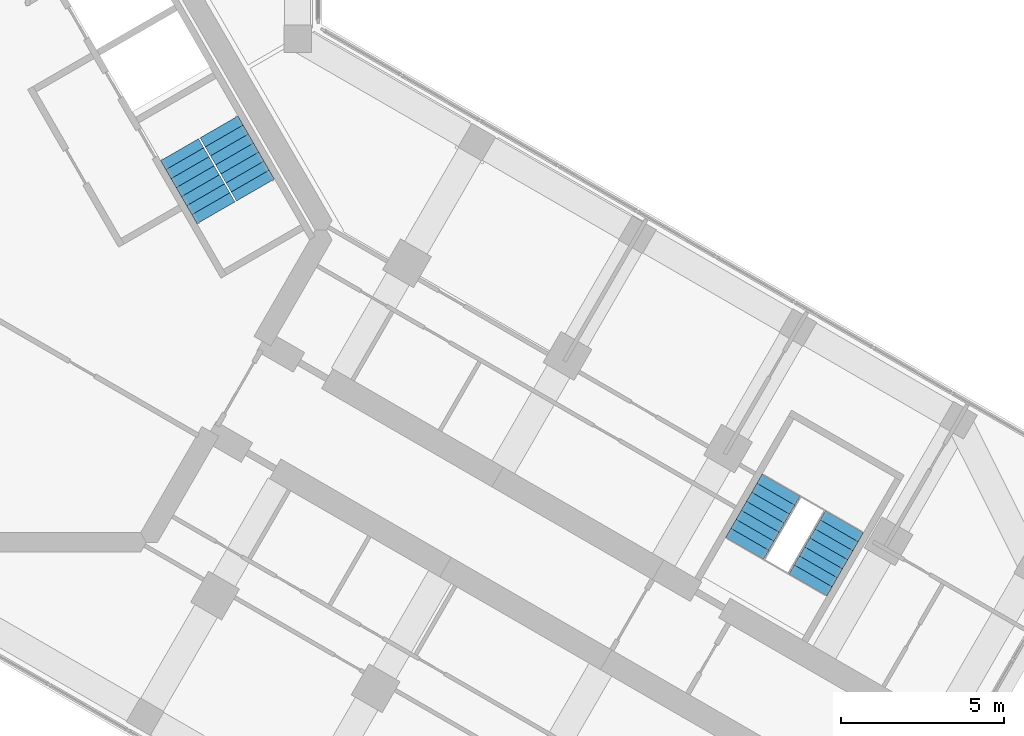
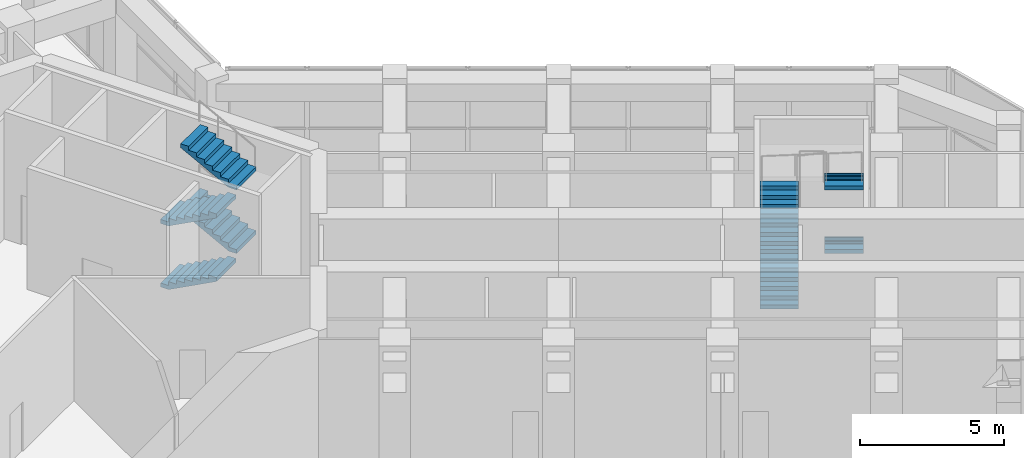
# One storey, part 15 of 16: 8 stair flights, 2 elements without a shape of their own.
"""IFC4 building model written with IfcOpenShell, lengths in metres."""

from ifc_helpers import new_model, si_unit, direction, frame, origin, place, context, subcontext, project, spatial, polyline, outline, extrude, material, type_object, element, aggregate, save


model = new_model("IFC4")

# Units and contexts
model_context = context("Model", 3, precision=1e-05, world=origin(), true_north=direction((0.0, 1.0)))
body_context = subcontext(model_context, "Body", "Model", "MODEL_VIEW")
ifc_project = project(units=[si_unit("LENGTHUNIT", "METRE"), si_unit("AREAUNIT", "SQUARE_METRE"), si_unit("VOLUMEUNIT", "CUBIC_METRE"), si_unit("PLANEANGLEUNIT", "RADIAN"), si_unit("MASSUNIT", "GRAM", prefix="KILO")], contexts=[model_context])

# Site, building, storey
site_placement = place(None, origin())
site = spatial("IfcSite", under=ifc_project, at=site_placement, CompositionType="ELEMENT")
building_placement = place(site_placement, origin())
building = spatial("IfcBuilding", under=site, at=building_placement, Name="Kosmar Iwan School Tower", CompositionType="ELEMENT")
storey_placement = place(building_placement, frame((0.0, 0.0, 226.199951171875)))
storey = spatial("IfcBuildingStorey", under=building, at=storey_placement, Name="L57", CompositionType="ELEMENT", Elevation=226.199951171875)

# Stair, stair flights
ifc_material_1 = material(Name="Concrete C35/45", Category="concrete")
stair_type_1 = type_object("IfcStairType", Name="Escape stair 3600", PredefinedType="HALF_TURN_STAIR", material=ifc_material_1)
stair_1_placement = place(storey_placement, origin())
stair_1 = element("IfcStair", 1, at=stair_1_placement, inside=storey, type_object=stair_type_1, Name="Stair WS3 L57", PredefinedType="HALF_TURN_STAIR")
ifc_material_2 = material(Name="Concrete C35/45", Category="concrete")
stair_flight_type_1 = type_object("IfcStairFlightType", Name="Escape stair flight 1350", PredefinedType="STRAIGHT", material=ifc_material_2)
stair_flight_1_placement = place(storey_placement, frame((23.94189453125, -9.781494140625, 0.0), z_axis=(0.0, 0.0, 1.0), x_axis=(0.5, 0.866025403784, 0.0)))
stair_flight_1 = element("IfcStairFlight", 2, at=stair_flight_1_placement, type_object=stair_flight_type_1, Name="WS3 flight 1", NumberOfRisers=8, NumberOfTreads=7, PredefinedType="STRAIGHT", RiserHeight=0.16875, TreadLength=0.32, context=body_context, shape_type="SweptSolid", body=[
    extrude(outline(polyline([(0.0, 0.0), (0.0, 0.168701171875), (0.320068359375, 0.168701171875), (0.320068359375, 0.33740234375), (0.639892578125, 0.33740234375), (0.639892578125, 0.50634765625), (0.9599609375, 0.50634765625), (0.9599609375, 0.675048828125), (1.280029296875, 0.675048828125), (1.280029296875, 0.84375), (1.60009765625, 0.84375), (1.60009765625, 1.012451171875), (1.919921875, 1.012451171875), (1.919921875, 1.18115234375), (2.239990234375, 1.18115234375), (2.239990234375, 1.35009765625), (2.239990234375, 1.01171875), (0.3212890625, 0.0), (0.0, 0.0)])), frame((0.0, 0.675048828125, 0.0), z_axis=(0.0, -1.0, 0.0), x_axis=(1.0, 0.0, 0.0)), (0.0, 0.0, 1.0), 1.35009765625),
])
stair_flight_2_placement = place(storey_placement, frame((27.010498046875, -8.966552734375, 1.35009765625), z_axis=(0.0, 0.0, 1.0), x_axis=(-0.5, -0.866025403784, 0.0)))
stair_flight_2 = element("IfcStairFlight", 3, at=stair_flight_2_placement, type_object=stair_flight_type_1, Name="WS3 flight 2", NumberOfRisers=8, NumberOfTreads=7, PredefinedType="STRAIGHT", RiserHeight=0.16875, TreadLength=0.32, context=body_context, shape_type="SweptSolid", body=[
    extrude(outline(polyline([(0.0, 0.0), (0.0, 0.168701171875), (0.320068359375, 0.168701171875), (0.320068359375, 0.33740234375), (0.639892578125, 0.33740234375), (0.639892578125, 0.50634765625), (0.9599609375, 0.50634765625), (0.9599609375, 0.675048828125), (1.280029296875, 0.675048828125), (1.280029296875, 0.84375), (1.60009765625, 0.84375), (1.60009765625, 1.012451171875), (1.919921875, 1.012451171875), (1.919921875, 1.18115234375), (2.239990234375, 1.18115234375), (2.239990234375, 1.35009765625), (2.239990234375, 1.01171875), (0.3212890625, 0.0), (0.0, 0.0)])), frame((0.0, 0.675048828125, 0.0), z_axis=(0.0, -1.0, 0.0), x_axis=(1.0, 0.0, 0.0)), (0.0, 0.0, 1.0), 1.35009765625),
])
stair_flight_3_placement = place(storey_placement, frame((23.94189453125, -9.781494140625, 2.699951171875), z_axis=(0.0, 0.0, 1.0), x_axis=(0.5, 0.866025403784, 0.0)))
stair_flight_3 = element("IfcStairFlight", 4, at=stair_flight_3_placement, type_object=stair_flight_type_1, Name="WS3 flight 3", NumberOfRisers=8, NumberOfTreads=7, PredefinedType="STRAIGHT", RiserHeight=0.16875, TreadLength=0.32, context=body_context, shape_type="SweptSolid", body=[
    extrude(outline(polyline([(0.0, 0.0), (0.0, 0.168701171875), (0.320068359375, 0.168701171875), (0.320068359375, 0.33740234375), (0.639892578125, 0.33740234375), (0.639892578125, 0.50634765625), (0.9599609375, 0.50634765625), (0.9599609375, 0.675048828125), (1.280029296875, 0.675048828125), (1.280029296875, 0.84375), (1.60009765625, 0.84375), (1.60009765625, 1.012451171875), (1.919921875, 1.012451171875), (1.919921875, 1.18115234375), (2.239990234375, 1.18115234375), (2.239990234375, 1.35009765625), (2.239990234375, 1.01171875), (0.3212890625, 0.0), (0.0, 0.0)])), frame((0.0, 0.675048828125, 0.0), z_axis=(0.0, -1.0, 0.0), x_axis=(1.0, 0.0, 0.0)), (0.0, 0.0, 1.0), 1.35009765625),
])
stair_flight_4_placement = place(storey_placement, frame((27.010498046875, -8.966552734375, 4.050048828125), z_axis=(0.0, 0.0, 1.0), x_axis=(-0.5, -0.866025403784, 0.0)))
stair_flight_4 = element("IfcStairFlight", 5, at=stair_flight_4_placement, type_object=stair_flight_type_1, Name="WS3 flight 4", NumberOfRisers=8, NumberOfTreads=7, PredefinedType="STRAIGHT", RiserHeight=0.16875, TreadLength=0.32, context=body_context, shape_type="SweptSolid", body=[
    extrude(outline(polyline([(0.0, 0.0), (0.0, 0.168701171875), (0.320068359375, 0.168701171875), (0.320068359375, 0.33740234375), (0.639892578125, 0.33740234375), (0.639892578125, 0.50634765625), (0.9599609375, 0.50634765625), (0.9599609375, 0.675048828125), (1.280029296875, 0.675048828125), (1.280029296875, 0.84375), (1.60009765625, 0.84375), (1.60009765625, 1.012451171875), (1.919921875, 1.012451171875), (1.919921875, 1.18115234375), (2.239990234375, 1.18115234375), (2.239990234375, 1.35009765625), (2.239990234375, 1.01171875), (0.3212890625, 0.0), (0.0, 0.0)])), frame((0.0, 0.675048828125, 0.0), z_axis=(0.0, -1.0, 0.0), x_axis=(1.0, 0.0, 0.0)), (0.0, 0.0, 1.0), 1.35009765625),
])
aggregate(stair_1, [stair_flight_1, stair_flight_2, stair_flight_3, stair_flight_4])

ifc_material_3 = material(Name="Concrete C35/45", Category="concrete")
stair_type_2 = type_object("IfcStairType", Name="Core stair 2750", PredefinedType="HALF_TURN_STAIR", material=ifc_material_3)
stair_2_placement = place(storey_placement, origin())
stair_2 = element("IfcStair", 6, at=stair_2_placement, inside=storey, type_object=stair_type_2, Name="Stair ST1 L57", PredefinedType="HALF_TURN_STAIR")
ifc_material_4 = material(Name="Concrete C35/45", Category="concrete")
stair_flight_type_2 = type_object("IfcStairFlightType", Name="Stair flight 1350", PredefinedType="STRAIGHT", material=ifc_material_4)
stair_flight_5_placement = place(storey_placement, frame((6.567138671875, 2.475341796875, 0.0), z_axis=(0.0, 0.0, 1.0), x_axis=(0.5, -0.866025403784, 0.0)))
stair_flight_5 = element("IfcStairFlight", 7, at=stair_flight_5_placement, type_object=stair_flight_type_2, Name="ST1 flight 1", NumberOfRisers=8, NumberOfTreads=7, PredefinedType="STRAIGHT", RiserHeight=0.16875, TreadLength=0.32, context=body_context, shape_type="SweptSolid", body=[
    extrude(outline(polyline([(0.0, 0.0), (0.0, 0.168701171875), (0.320068359375, 0.168701171875), (0.320068359375, 0.33740234375), (0.639892578125, 0.33740234375), (0.639892578125, 0.50634765625), (0.9599609375, 0.50634765625), (0.9599609375, 0.675048828125), (1.280029296875, 0.675048828125), (1.280029296875, 0.84375), (1.60009765625, 0.84375), (1.60009765625, 1.012451171875), (1.919921875, 1.012451171875), (1.919921875, 1.18115234375), (2.239990234375, 1.18115234375), (2.239990234375, 1.35009765625), (2.239990234375, 1.01171875), (0.3212890625, 0.0), (0.0, 0.0)])), frame((0.0, 0.675048828125, 0.0), z_axis=(0.0, -1.0, 0.0), x_axis=(1.0, 0.0, 0.0)), (0.0, 0.0, 1.0), 1.35009765625),
])
stair_flight_6_placement = place(storey_placement, frame((8.899658203125, 1.2353515625, 1.35009765625), z_axis=(0.0, 0.0, 1.0), x_axis=(-0.5, 0.866025403784, 0.0)))
stair_flight_6 = element("IfcStairFlight", 8, at=stair_flight_6_placement, type_object=stair_flight_type_2, Name="ST1 flight 2", NumberOfRisers=8, NumberOfTreads=7, PredefinedType="STRAIGHT", RiserHeight=0.16875, TreadLength=0.32, context=body_context, shape_type="SweptSolid", body=[
    extrude(outline(polyline([(0.0, 0.0), (0.0, 0.168701171875), (0.320068359375, 0.168701171875), (0.320068359375, 0.33740234375), (0.639892578125, 0.33740234375), (0.639892578125, 0.50634765625), (0.9599609375, 0.50634765625), (0.9599609375, 0.675048828125), (1.280029296875, 0.675048828125), (1.280029296875, 0.84375), (1.60009765625, 0.84375), (1.60009765625, 1.012451171875), (1.919921875, 1.012451171875), (1.919921875, 1.18115234375), (2.239990234375, 1.18115234375), (2.239990234375, 1.35009765625), (2.239990234375, 1.01171875), (0.3212890625, 0.0), (0.0, 0.0)])), frame((0.0, 0.675048828125, 0.0), z_axis=(0.0, -1.0, 0.0), x_axis=(1.0, 0.0, 0.0)), (0.0, 0.0, 1.0), 1.35009765625),
])
stair_flight_7_placement = place(storey_placement, frame((6.567138671875, 2.475341796875, 2.699951171875), z_axis=(0.0, 0.0, 1.0), x_axis=(0.5, -0.866025403784, 0.0)))
stair_flight_7 = element("IfcStairFlight", 9, at=stair_flight_7_placement, type_object=stair_flight_type_2, Name="ST1 flight 3", NumberOfRisers=8, NumberOfTreads=7, PredefinedType="STRAIGHT", RiserHeight=0.16875, TreadLength=0.32, context=body_context, shape_type="SweptSolid", body=[
    extrude(outline(polyline([(0.0, 0.0), (0.0, 0.168701171875), (0.320068359375, 0.168701171875), (0.320068359375, 0.33740234375), (0.639892578125, 0.33740234375), (0.639892578125, 0.50634765625), (0.9599609375, 0.50634765625), (0.9599609375, 0.675048828125), (1.280029296875, 0.675048828125), (1.280029296875, 0.84375), (1.60009765625, 0.84375), (1.60009765625, 1.012451171875), (1.919921875, 1.012451171875), (1.919921875, 1.18115234375), (2.239990234375, 1.18115234375), (2.239990234375, 1.35009765625), (2.239990234375, 1.01171875), (0.3212890625, 0.0), (0.0, 0.0)])), frame((0.0, 0.675048828125, 0.0), z_axis=(0.0, -1.0, 0.0), x_axis=(1.0, 0.0, 0.0)), (0.0, 0.0, 1.0), 1.35009765625),
])
stair_flight_8_placement = place(storey_placement, frame((8.899658203125, 1.2353515625, 4.050048828125), z_axis=(0.0, 0.0, 1.0), x_axis=(-0.5, 0.866025403784, 0.0)))
stair_flight_8 = element("IfcStairFlight", 10, at=stair_flight_8_placement, type_object=stair_flight_type_2, Name="ST1 flight 4", NumberOfRisers=8, NumberOfTreads=7, PredefinedType="STRAIGHT", RiserHeight=0.16875, TreadLength=0.32, context=body_context, shape_type="SweptSolid", body=[
    extrude(outline(polyline([(0.0, 0.0), (0.0, 0.168701171875), (0.320068359375, 0.168701171875), (0.320068359375, 0.33740234375), (0.639892578125, 0.33740234375), (0.639892578125, 0.50634765625), (0.9599609375, 0.50634765625), (0.9599609375, 0.675048828125), (1.280029296875, 0.675048828125), (1.280029296875, 0.84375), (1.60009765625, 0.84375), (1.60009765625, 1.012451171875), (1.919921875, 1.012451171875), (1.919921875, 1.18115234375), (2.239990234375, 1.18115234375), (2.239990234375, 1.35009765625), (2.239990234375, 1.01171875), (0.3212890625, 0.0), (0.0, 0.0)])), frame((0.0, 0.675048828125, 0.0), z_axis=(0.0, -1.0, 0.0), x_axis=(1.0, 0.0, 0.0)), (0.0, 0.0, 1.0), 1.35009765625),
])
aggregate(stair_2, [stair_flight_5, stair_flight_6, stair_flight_7, stair_flight_8])

save(model, "model.ifc")
